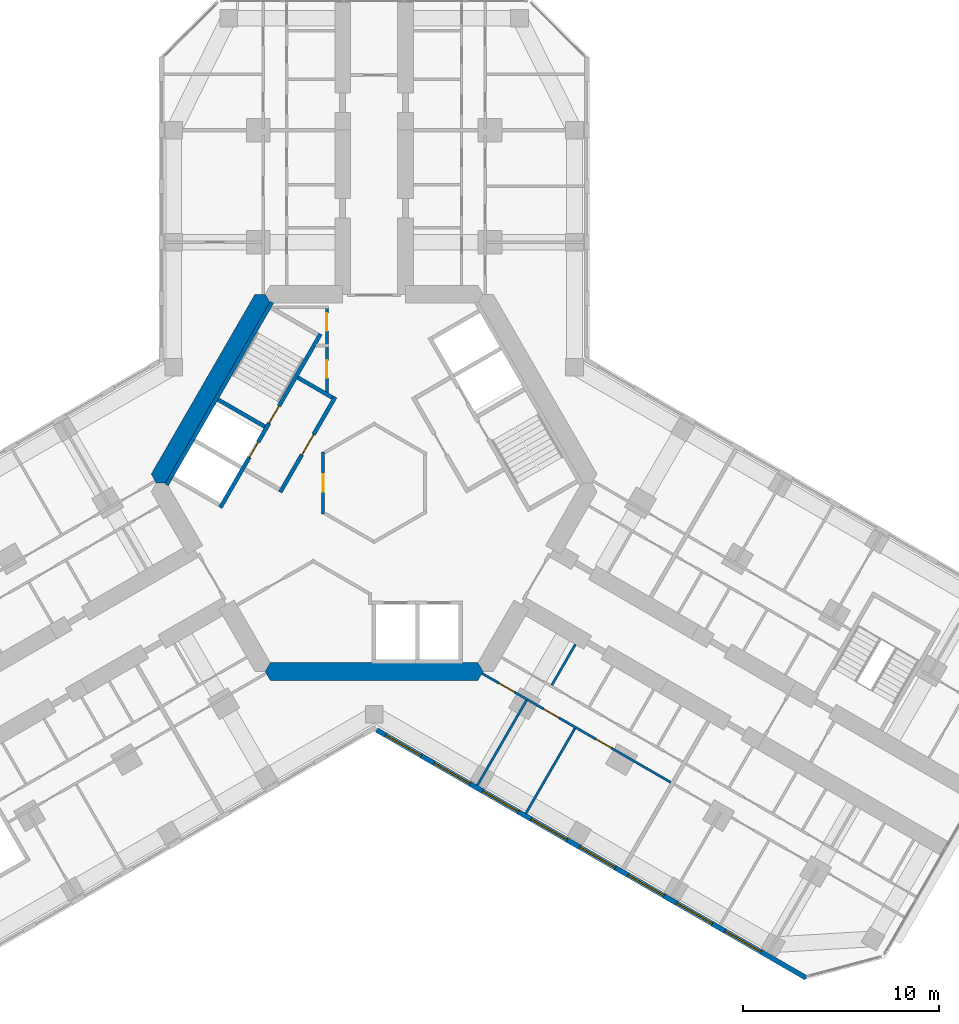
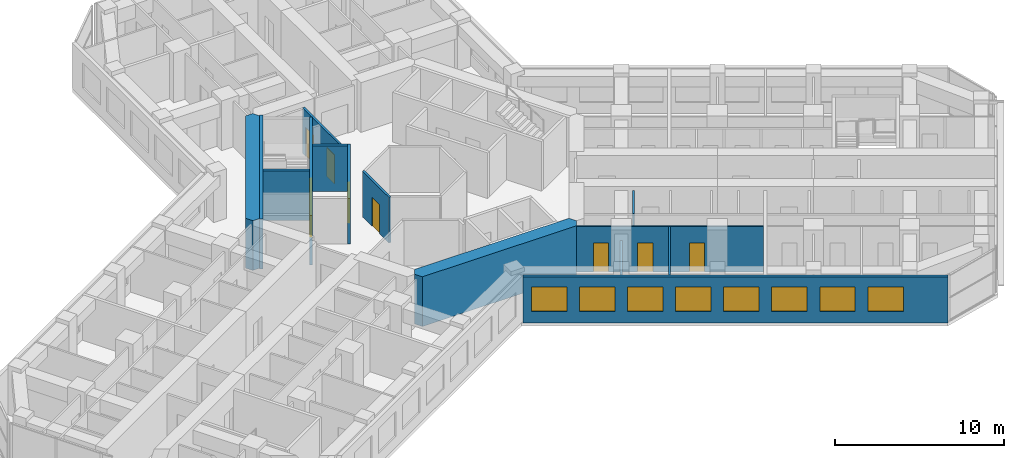
# One storey, part 13 of 20: 14 walls, 9 doors, 8 windows, 17 openings.
"""IFC4 building model written with IfcOpenShell, lengths in metres."""

from ifc_helpers import new_model, si_unit, direction, frame, frame_2d, origin, place, context, subcontext, project, spatial, polyline, rectangle, outline, extrude, material, layer, layer_set, type_object, element, fill, save


model = new_model("IFC4")

# Units and contexts
model_context = context("Model", 3, precision=1e-05, world=origin(), true_north=direction((0.0, 1.0)))
body_context = subcontext(model_context, "Body", "Model", "MODEL_VIEW")
ifc_project = project(units=[si_unit("LENGTHUNIT", "METRE"), si_unit("AREAUNIT", "SQUARE_METRE"), si_unit("VOLUMEUNIT", "CUBIC_METRE"), si_unit("PLANEANGLEUNIT", "RADIAN"), si_unit("MASSUNIT", "GRAM", prefix="KILO")], contexts=[model_context])

# Site, building, storey
site_placement = place(None, origin())
site = spatial("IfcSite", under=ifc_project, at=site_placement, CompositionType="ELEMENT")
building_placement = place(site_placement, origin())
building = spatial("IfcBuilding", under=site, at=building_placement, Name="Kosmar Iwan School Tower", CompositionType="ELEMENT")
storey_placement = place(building_placement, frame((0.0, 0.0, 183.199951171875)))
storey = spatial("IfcBuildingStorey", under=building, at=storey_placement, Name="L46", CompositionType="ELEMENT", Elevation=183.199951171875)

# Wall, openings, doors
ifc_material_1 = material(Name="Gypsum board on steel studs, fire-rated", Category="steel")
ifc_layer_1 = layer(ifc_material_1, 0.14990234375)
ifc_layer_set_1 = layer_set([ifc_layer_1], Name="Core room partition 150")
wall_type_1 = type_object("IfcWallType", Name="Core room partition 150", PredefinedType="PARTITIONING", material=ifc_layer_set_1)
wall_1_placement = place(storey_placement, frame((-2.39990234375, 9.014892578125, 0.0), z_axis=(0.0, 0.0, 1.0), x_axis=(0.0, -1.0, 0.0)))
wall_1 = element("IfcWall", 1, at=wall_1_placement, inside=storey, type_object=wall_type_1, Name="Core room partition L46-CW1", PredefinedType="PARTITIONING", context=body_context, shape_type="SweptSolid", body=[
    extrude(rectangle(XDim=4.484130859375, YDim=0.14990234375, at=frame_2d((2.2421875, 0.0))), origin(), (0.0, 0.0, 1.0), 3.300048828125),
])
opening_1_placement = place(wall_1_placement, frame((0.375, 0.0, 0.0)))
opening_1 = element("IfcOpeningElement", 2, at=opening_1_placement, cuts=wall_1, Name="Opening D14", PredefinedType="OPENING", context=body_context, shape_type="SweptSolid", body=[
    extrude(rectangle(XDim=0.89990234375, YDim=2.10009765625, at=frame_2d((0.449951171875, 1.050048828125))), frame((0.0, 0.0869140625, 0.0), z_axis=(0.0, -1.0, 0.0), x_axis=(1.0, 0.0, 0.0)), (0.0, 0.0, 1.0), 0.173828125),
])
opening_2_placement = place(wall_1_placement, frame((2.77490234375, 0.0, 0.0)))
opening_2 = element("IfcOpeningElement", 3, at=opening_2_placement, cuts=wall_1, Name="Opening D14", PredefinedType="OPENING", context=body_context, shape_type="SweptSolid", body=[
    extrude(rectangle(XDim=0.89990234375, YDim=2.10009765625, at=frame_2d((0.449951171875, 1.050048828125))), frame((0.0, 0.0869140625, 0.0), z_axis=(0.0, -1.0, 0.0), x_axis=(1.0, 0.0, 0.0)), (0.0, 0.0, 1.0), 0.173828125),
])
ifc_material_2 = material(Name="Timber fire door in steel frame", Category="steel")
door_type_1 = type_object("IfcDoorType", Name="Core room door 900x2100", OperationType="SINGLE_SWING_LEFT", PredefinedType="DOOR", material=ifc_material_2)
door_1_placement = place(opening_1_placement, origin())
door_1 = element("IfcDoor", 4, at=door_1_placement, inside=storey, type_object=door_type_1, Name="Electrical riser and switch room door L46 1", OperationType="SINGLE_SWING_LEFT", OverallHeight=2.10009765625, OverallWidth=0.89990234375, PredefinedType="DOOR", context=body_context, shape_type="SweptSolid", body=[
    extrude(rectangle(XDim=0.89990234375, YDim=2.10009765625, at=frame_2d((0.449951171875, 1.050048828125))), frame((0.0, 0.02490234375, 0.0), z_axis=(0.0, -1.0, 0.0), x_axis=(1.0, 0.0, 0.0)), (0.0, 0.0, 1.0), 0.050048828125),
])
fill(opening_1, door_1)
door_2_placement = place(opening_2_placement, origin())
door_2 = element("IfcDoor", 5, at=door_2_placement, inside=storey, type_object=door_type_1, Name="Plumbing and wet riser door L46 2", OperationType="SINGLE_SWING_RIGHT", OverallHeight=2.10009765625, OverallWidth=0.89990234375, PredefinedType="DOOR", context=body_context, shape_type="SweptSolid", body=[
    extrude(rectangle(XDim=0.89990234375, YDim=2.10009765625, at=frame_2d((0.449951171875, 1.050048828125))), frame((0.0, 0.02490234375, 0.0), z_axis=(0.0, -1.0, 0.0), x_axis=(1.0, 0.0, 0.0)), (0.0, 0.0, 1.0), 0.050048828125),
])
fill(opening_2, door_2)

# Wall, opening, door
wall_2_placement = place(storey_placement, frame((-2.60009765625, -1.576171875, 0.0), z_axis=(0.0, 0.0, 1.0), x_axis=(0.0, 1.0, 0.0)))
wall_2 = element("IfcWall", 6, at=wall_2_placement, inside=storey, type_object=wall_type_1, Name="Core room partition L46-CW10", PredefinedType="PARTITIONING", context=body_context, shape_type="SweptSolid", body=[
    extrude(rectangle(XDim=3.15234375, YDim=0.14990234375, at=frame_2d((1.576171875, 0.0))), origin(), (0.0, 0.0, 1.0), 3.300048828125),
])
opening_3_placement = place(wall_2_placement, frame((1.1259765625, 0.0, 0.0)))
opening_3 = element("IfcOpeningElement", 7, at=opening_3_placement, cuts=wall_2, Name="Opening D14", PredefinedType="OPENING", context=body_context, shape_type="SweptSolid", body=[
    extrude(rectangle(XDim=0.89990234375, YDim=2.10009765625, at=frame_2d((0.449951171875, 1.050048828125))), frame((0.0, 0.0869140625, 0.0), z_axis=(0.0, -1.0, 0.0), x_axis=(1.0, 0.0, 0.0)), (0.0, 0.0, 1.0), 0.173828125),
])
door_3_placement = place(opening_3_placement, origin())
door_3 = element("IfcDoor", 8, at=door_3_placement, inside=storey, type_object=door_type_1, Name="Parcel room door L46 4", OperationType="SINGLE_SWING_RIGHT", OverallHeight=2.10009765625, OverallWidth=0.89990234375, PredefinedType="DOOR", context=body_context, shape_type="SweptSolid", body=[
    extrude(rectangle(XDim=0.89990234375, YDim=2.10009765625, at=frame_2d((0.449951171875, 1.050048828125))), frame((0.0, 0.02490234375, 0.0), z_axis=(0.0, -1.0, 0.0), x_axis=(1.0, 0.0, 0.0)), (0.0, 0.0, 1.0), 0.050048828125),
])
fill(opening_3, door_3)

# Walls
ifc_material_3 = material(Name="Concrete C50/60", Category="concrete")
ifc_layer_2 = layer(ifc_material_3, 0.89990234375)
ifc_layer_set_2 = layer_set([ifc_layer_2], Name="Core wall 900")
wall_type_2 = type_object("IfcWallType", Name="Core wall 900", PredefinedType="SHEAR", material=ifc_layer_set_2)
wall_3_placement = place(storey_placement, origin())
element("IfcWall", 9, at=wall_3_placement, inside=storey, type_object=wall_type_2, Name="Core wall F150", PredefinedType="SHEAR", context=body_context, shape_type="SweptSolid", body=[
    extrude(outline(polyline([(-11.085205078125, 0.0), (-10.5654296875, 0.0), (-5.28271484375, 9.14990234375), (-5.54248046875, 9.60009765625), (-6.062255859375, 9.60009765625), (-11.344970703125, 0.449951171875), (-11.085205078125, 0.0)])), origin(), (0.0, 0.0, 1.0), 3.60009765625),
])
wall_4_placement = place(storey_placement, origin())
element("IfcWall", 10, at=wall_4_placement, inside=storey, type_object=wall_type_2, Name="Core wall F270", PredefinedType="SHEAR", context=body_context, shape_type="SweptSolid", body=[
    extrude(outline(polyline([(-5.28271484375, -10.050048828125), (5.28271484375, -10.050048828125), (5.54248046875, -9.60009765625), (5.28271484375, -9.14990234375), (-5.28271484375, -9.14990234375), (-5.54248046875, -9.60009765625), (-5.28271484375, -10.050048828125)])), origin(), (0.0, 0.0, 1.0), 3.60009765625),
])

# Wall, openings, doors
ifc_material_4 = material(Name="Gypsum board on steel studs", Category="steel")
ifc_layer_3 = layer(ifc_material_4, 0.1201171875)
ifc_layer_set_3 = layer_set([ifc_layer_3], Name="Dwelling partition 120")
wall_type_3 = type_object("IfcWallType", Name="Dwelling partition 120", PredefinedType="PARTITIONING", material=ifc_layer_set_3)
wall_5_placement = place(storey_placement, frame((5.48876953125, -9.693115234375, 0.0), z_axis=(0.0, 0.0, 1.0), x_axis=(0.866026992824, -0.499997247692, 0.0)))
wall_5 = element("IfcWall", 11, at=wall_5_placement, inside=storey, type_object=wall_type_3, Name="Partition L46-CR1-W2", PredefinedType="PARTITIONING", context=body_context, shape_type="SweptSolid", body=[
    extrude(rectangle(XDim=11.10009765625, YDim=0.1201171875, at=frame_2d((5.550048828125, 0.0))), origin(), (0.0, 0.0, 1.0), 3.300048828125),
])
opening_4_placement = place(wall_5_placement, frame((1.0, 0.0, 0.0)))
opening_4 = element("IfcOpeningElement", 12, at=opening_4_placement, cuts=wall_5, Name="Opening D2", PredefinedType="OPENING", context=body_context, shape_type="SweptSolid", body=[
    extrude(rectangle(XDim=0.89990234375, YDim=2.10009765625, at=frame_2d((0.449951171875, 1.050048828125))), frame((0.0, 0.072021484375, 0.0), z_axis=(0.0, -1.0, 0.0), x_axis=(1.0, 0.0, 0.0)), (0.0, 0.0, 1.0), 0.14404296875),
])
opening_5_placement = place(wall_5_placement, frame((3.625, 0.0, 0.0)))
opening_5 = element("IfcOpeningElement", 13, at=opening_5_placement, cuts=wall_5, Name="Opening D2", PredefinedType="OPENING", context=body_context, shape_type="SweptSolid", body=[
    extrude(rectangle(XDim=0.89990234375, YDim=2.10009765625, at=frame_2d((0.449951171875, 1.050048828125))), frame((0.0, 0.072021484375, 0.0), z_axis=(0.0, -1.0, 0.0), x_axis=(1.0, 0.0, 0.0)), (0.0, 0.0, 1.0), 0.14404296875),
])
opening_6_placement = place(wall_5_placement, frame((6.699951171875, 0.0, 0.0)))
opening_6 = element("IfcOpeningElement", 14, at=opening_6_placement, cuts=wall_5, Name="Opening D2", PredefinedType="OPENING", context=body_context, shape_type="SweptSolid", body=[
    extrude(rectangle(XDim=0.89990234375, YDim=2.10009765625, at=frame_2d((0.449951171875, 1.050048828125))), frame((0.0, 0.072021484375, 0.0), z_axis=(0.0, -1.0, 0.0), x_axis=(1.0, 0.0, 0.0)), (0.0, 0.0, 1.0), 0.14404296875),
])
ifc_material_5 = material(Name="Timber door in timber frame", Category="wood")
door_type_2 = type_object("IfcDoorType", Name="Internal door 900x2100", OperationType="SINGLE_SWING_LEFT", PredefinedType="DOOR", material=ifc_material_5)
door_4_placement = place(opening_4_placement, origin())
door_4 = element("IfcDoor", 15, at=door_4_placement, inside=storey, type_object=door_type_2, Name="Bedroom 1 door L46-CR1-F1", OperationType="SINGLE_SWING_LEFT", OverallHeight=2.10009765625, OverallWidth=0.89990234375, PredefinedType="DOOR", context=body_context, shape_type="SweptSolid", body=[
    extrude(rectangle(XDim=0.89990234375, YDim=2.10009765625, at=frame_2d((0.449951171875, 1.050048828125))), frame((0.0, 0.02490234375, 0.0), z_axis=(0.0, -1.0, 0.0), x_axis=(1.0, 0.0, 0.0)), (0.0, 0.0, 1.0), 0.050048828125),
])
fill(opening_4, door_4)
door_5_placement = place(opening_5_placement, origin())
door_5 = element("IfcDoor", 16, at=door_5_placement, inside=storey, type_object=door_type_2, Name="Study door L46-CR1-F2", OperationType="SINGLE_SWING_LEFT", OverallHeight=2.10009765625, OverallWidth=0.89990234375, PredefinedType="DOOR", context=body_context, shape_type="SweptSolid", body=[
    extrude(rectangle(XDim=0.89990234375, YDim=2.10009765625, at=frame_2d((0.449951171875, 1.050048828125))), frame((0.0, 0.02490234375, 0.0), z_axis=(0.0, -1.0, 0.0), x_axis=(1.0, 0.0, 0.0)), (0.0, 0.0, 1.0), 0.050048828125),
])
fill(opening_5, door_5)
door_6_placement = place(opening_6_placement, origin())
door_6 = element("IfcDoor", 17, at=door_6_placement, inside=storey, type_object=door_type_2, Name="Family room and kitchen door L46-CR1-F3", OperationType="SINGLE_SWING_RIGHT", OverallHeight=2.10009765625, OverallWidth=0.89990234375, PredefinedType="DOOR", context=body_context, shape_type="SweptSolid", body=[
    extrude(rectangle(XDim=0.89990234375, YDim=2.10009765625, at=frame_2d((0.449951171875, 1.050048828125))), frame((0.0, 0.02490234375, 0.0), z_axis=(0.0, -1.0, 0.0), x_axis=(1.0, 0.0, 0.0)), (0.0, 0.0, 1.0), 0.050048828125),
])
fill(opening_6, door_6)

# Walls
wall_6_placement = place(storey_placement, frame((7.75390625, -11.070068359375, 0.0), z_axis=(0.0, 0.0, 1.0), x_axis=(-0.500011847778, -0.866018563358, 0.0)))
element("IfcWall", 18, at=wall_6_placement, inside=storey, type_object=wall_type_3, Name="Partition L46-CR1-X1", PredefinedType="PARTITIONING", context=body_context, shape_type="SweptSolid", body=[
    extrude(rectangle(XDim=4.990234375, YDim=0.1201171875, at=frame_2d((2.4951171875, 0.0))), origin(), (0.0, 0.0, 1.0), 2.300048828125),
])
wall_7_placement = place(storey_placement, frame((10.221923828125, -12.4951171875, 0.0), z_axis=(0.0, 0.0, 1.0), x_axis=(-0.499996339024, -0.86602751744, 0.0)))
element("IfcWall", 19, at=wall_7_placement, inside=storey, type_object=wall_type_3, Name="Partition L46-CR1-X2", PredefinedType="PARTITIONING", context=body_context, shape_type="SweptSolid", body=[
    extrude(rectangle(XDim=4.98974609375, YDim=0.1201171875, at=frame_2d((2.494873046875, 0.0))), origin(), (0.0, 0.0, 1.0), 3.300048828125),
])
wall_8_placement = place(storey_placement, frame((10.240966796875, -8.221923828125, 0.0), z_axis=(0.0, 0.0, 1.0), x_axis=(-0.500017192868, -0.86601547725, 0.0)))
element("IfcWall", 20, at=wall_8_placement, inside=storey, type_object=wall_type_3, Name="Partition L46-CR1-Y1", PredefinedType="PARTITIONING", context=body_context, shape_type="SweptSolid", body=[
    extrude(rectangle(XDim=2.39013671875, YDim=0.1201171875, at=frame_2d((1.195068359375, 0.0))), origin(), (0.0, 0.0, 1.0), 3.300048828125),
])

# Wall, openings, windows
ifc_material_6 = material(Name="Black aluminium rainscreen on insulated framing", Category="aluminium")
ifc_layer_4 = layer(ifc_material_6, 0.25)
ifc_layer_set_4 = layer_set([ifc_layer_4], Name="External wall rainscreen 250")
wall_type_4 = type_object("IfcWallType", Name="External wall rainscreen 250", PredefinedType="SOLIDWALL", material=ifc_layer_set_4)
wall_9_placement = place(storey_placement, frame((0.137939453125, -12.5791015625, 0.0), z_axis=(0.0, 0.0, 1.0), x_axis=(0.866023775649, -0.500002820003, 0.0)))
wall_9 = element("IfcWall", 21, at=wall_9_placement, inside=storey, type_object=wall_type_4, Name="External wall CR L46", PredefinedType="SOLIDWALL", context=body_context, shape_type="SweptSolid", body=[
    extrude(rectangle(XDim=25.226318359375, YDim=0.25, at=frame_2d((12.61328125, 0.0))), origin(), (0.0, 0.0, 1.0), 3.300048828125),
])
opening_7_placement = place(wall_9_placement, frame((0.51611328125, 0.0, 0.800048828125)))
opening_7 = element("IfcOpeningElement", 22, at=opening_7_placement, cuts=wall_9, Name="Opening W4", PredefinedType="OPENING", context=body_context, shape_type="SweptSolid", body=[
    extrude(rectangle(XDim=2.10009765625, YDim=1.800048828125, at=frame_2d((1.050048828125, 0.89990234375))), frame((0.0, 0.136962890625, 0.0), z_axis=(0.0, -1.0, 0.0), x_axis=(1.0, 0.0, 0.0)), (0.0, 0.0, 1.0), 0.27392578125),
])
opening_8_placement = place(wall_9_placement, frame((3.365966796875, 0.0, 0.800048828125)))
opening_8 = element("IfcOpeningElement", 23, at=opening_8_placement, cuts=wall_9, Name="Opening W4", PredefinedType="OPENING", context=body_context, shape_type="SweptSolid", body=[
    extrude(rectangle(XDim=2.10009765625, YDim=1.800048828125, at=frame_2d((1.050048828125, 0.89990234375))), frame((0.0, 0.136962890625, 0.0), z_axis=(0.0, -1.0, 0.0), x_axis=(1.0, 0.0, 0.0)), (0.0, 0.0, 1.0), 0.27392578125),
])
opening_9_placement = place(wall_9_placement, frame((6.216064453125, 0.0, 0.800048828125)))
opening_9 = element("IfcOpeningElement", 24, at=opening_9_placement, cuts=wall_9, Name="Opening W4", PredefinedType="OPENING", context=body_context, shape_type="SweptSolid", body=[
    extrude(rectangle(XDim=2.10009765625, YDim=1.800048828125, at=frame_2d((1.050048828125, 0.89990234375))), frame((0.0, 0.136962890625, 0.0), z_axis=(0.0, -1.0, 0.0), x_axis=(1.0, 0.0, 0.0)), (0.0, 0.0, 1.0), 0.27392578125),
])
opening_10_placement = place(wall_9_placement, frame((9.06591796875, 0.0, 0.800048828125)))
opening_10 = element("IfcOpeningElement", 25, at=opening_10_placement, cuts=wall_9, Name="Opening W4", PredefinedType="OPENING", context=body_context, shape_type="SweptSolid", body=[
    extrude(rectangle(XDim=2.10009765625, YDim=1.800048828125, at=frame_2d((1.050048828125, 0.89990234375))), frame((0.0, 0.136962890625, 0.0), z_axis=(0.0, -1.0, 0.0), x_axis=(1.0, 0.0, 0.0)), (0.0, 0.0, 1.0), 0.27392578125),
])
opening_11_placement = place(wall_9_placement, frame((11.916015625, 0.0, 0.800048828125)))
opening_11 = element("IfcOpeningElement", 26, at=opening_11_placement, cuts=wall_9, Name="Opening W4", PredefinedType="OPENING", context=body_context, shape_type="SweptSolid", body=[
    extrude(rectangle(XDim=2.10009765625, YDim=1.800048828125, at=frame_2d((1.050048828125, 0.89990234375))), frame((0.0, 0.136962890625, 0.0), z_axis=(0.0, -1.0, 0.0), x_axis=(1.0, 0.0, 0.0)), (0.0, 0.0, 1.0), 0.27392578125),
])
opening_12_placement = place(wall_9_placement, frame((14.76611328125, 0.0, 0.800048828125)))
opening_12 = element("IfcOpeningElement", 27, at=opening_12_placement, cuts=wall_9, Name="Opening W4", PredefinedType="OPENING", context=body_context, shape_type="SweptSolid", body=[
    extrude(rectangle(XDim=2.10009765625, YDim=1.800048828125, at=frame_2d((1.050048828125, 0.89990234375))), frame((0.0, 0.136962890625, 0.0), z_axis=(0.0, -1.0, 0.0), x_axis=(1.0, 0.0, 0.0)), (0.0, 0.0, 1.0), 0.27392578125),
])
opening_13_placement = place(wall_9_placement, frame((17.615966796875, 0.0, 0.800048828125)))
opening_13 = element("IfcOpeningElement", 28, at=opening_13_placement, cuts=wall_9, Name="Opening W4", PredefinedType="OPENING", context=body_context, shape_type="SweptSolid", body=[
    extrude(rectangle(XDim=2.10009765625, YDim=1.800048828125, at=frame_2d((1.050048828125, 0.89990234375))), frame((0.0, 0.136962890625, 0.0), z_axis=(0.0, -1.0, 0.0), x_axis=(1.0, 0.0, 0.0)), (0.0, 0.0, 1.0), 0.27392578125),
])
opening_14_placement = place(wall_9_placement, frame((20.466064453125, 0.0, 0.800048828125)))
opening_14 = element("IfcOpeningElement", 29, at=opening_14_placement, cuts=wall_9, Name="Opening W4", PredefinedType="OPENING", context=body_context, shape_type="SweptSolid", body=[
    extrude(rectangle(XDim=2.10009765625, YDim=1.800048828125, at=frame_2d((1.050048828125, 0.89990234375))), frame((0.0, 0.136962890625, 0.0), z_axis=(0.0, -1.0, 0.0), x_axis=(1.0, 0.0, 0.0)), (0.0, 0.0, 1.0), 0.27392578125),
])
ifc_material_7 = material(Name="Black aluminium frame with dark triple glazing", Category="aluminium")
window_type = type_object("IfcWindowType", Name="Window 2100x1800", PartitioningType="SINGLE_PANEL", PredefinedType="WINDOW", material=ifc_material_7)
window_1_placement = place(opening_7_placement, origin())
window_1 = element("IfcWindow", 30, at=window_1_placement, inside=storey, type_object=window_type, Name="Window CR L46 -1", OverallHeight=1.800048828125, OverallWidth=2.10009765625, PartitioningType="SINGLE_PANEL", PredefinedType="WINDOW", context=body_context, shape_type="SweptSolid", body=[
    extrude(rectangle(XDim=2.10009765625, YDim=1.800048828125, at=frame_2d((1.050048828125, 0.89990234375))), frame((0.0, 0.030029296875, 0.0), z_axis=(0.0, -1.0, 0.0), x_axis=(1.0, 0.0, 0.0)), (0.0, 0.0, 1.0), 0.06005859375),
])
fill(opening_7, window_1)
window_2_placement = place(opening_8_placement, origin())
window_2 = element("IfcWindow", 31, at=window_2_placement, inside=storey, type_object=window_type, Name="Window CR L46 0", OverallHeight=1.800048828125, OverallWidth=2.10009765625, PartitioningType="SINGLE_PANEL", PredefinedType="WINDOW", context=body_context, shape_type="SweptSolid", body=[
    extrude(rectangle(XDim=2.10009765625, YDim=1.800048828125, at=frame_2d((1.050048828125, 0.89990234375))), frame((0.0, 0.030029296875, 0.0), z_axis=(0.0, -1.0, 0.0), x_axis=(1.0, 0.0, 0.0)), (0.0, 0.0, 1.0), 0.06005859375),
])
fill(opening_8, window_2)
window_3_placement = place(opening_9_placement, origin())
window_3 = element("IfcWindow", 32, at=window_3_placement, inside=storey, type_object=window_type, Name="Window CR L46 1", OverallHeight=1.800048828125, OverallWidth=2.10009765625, PartitioningType="SINGLE_PANEL", PredefinedType="WINDOW", context=body_context, shape_type="SweptSolid", body=[
    extrude(rectangle(XDim=2.10009765625, YDim=1.800048828125, at=frame_2d((1.050048828125, 0.89990234375))), frame((0.0, 0.030029296875, 0.0), z_axis=(0.0, -1.0, 0.0), x_axis=(1.0, 0.0, 0.0)), (0.0, 0.0, 1.0), 0.06005859375),
])
fill(opening_9, window_3)
window_4_placement = place(opening_10_placement, origin())
window_4 = element("IfcWindow", 33, at=window_4_placement, inside=storey, type_object=window_type, Name="Window CR L46 2", OverallHeight=1.800048828125, OverallWidth=2.10009765625, PartitioningType="SINGLE_PANEL", PredefinedType="WINDOW", context=body_context, shape_type="SweptSolid", body=[
    extrude(rectangle(XDim=2.10009765625, YDim=1.800048828125, at=frame_2d((1.050048828125, 0.89990234375))), frame((0.0, 0.030029296875, 0.0), z_axis=(0.0, -1.0, 0.0), x_axis=(1.0, 0.0, 0.0)), (0.0, 0.0, 1.0), 0.06005859375),
])
fill(opening_10, window_4)
window_5_placement = place(opening_11_placement, origin())
window_5 = element("IfcWindow", 34, at=window_5_placement, inside=storey, type_object=window_type, Name="Window CR L46 3", OverallHeight=1.800048828125, OverallWidth=2.10009765625, PartitioningType="SINGLE_PANEL", PredefinedType="WINDOW", context=body_context, shape_type="SweptSolid", body=[
    extrude(rectangle(XDim=2.10009765625, YDim=1.800048828125, at=frame_2d((1.050048828125, 0.89990234375))), frame((0.0, 0.030029296875, 0.0), z_axis=(0.0, -1.0, 0.0), x_axis=(1.0, 0.0, 0.0)), (0.0, 0.0, 1.0), 0.06005859375),
])
fill(opening_11, window_5)
window_6_placement = place(opening_12_placement, origin())
window_6 = element("IfcWindow", 35, at=window_6_placement, inside=storey, type_object=window_type, Name="Window CR L46 4", OverallHeight=1.800048828125, OverallWidth=2.10009765625, PartitioningType="SINGLE_PANEL", PredefinedType="WINDOW", context=body_context, shape_type="SweptSolid", body=[
    extrude(rectangle(XDim=2.10009765625, YDim=1.800048828125, at=frame_2d((1.050048828125, 0.89990234375))), frame((0.0, 0.030029296875, 0.0), z_axis=(0.0, -1.0, 0.0), x_axis=(1.0, 0.0, 0.0)), (0.0, 0.0, 1.0), 0.06005859375),
])
fill(opening_12, window_6)
window_7_placement = place(opening_13_placement, origin())
window_7 = element("IfcWindow", 36, at=window_7_placement, inside=storey, type_object=window_type, Name="Window CR L46 5", OverallHeight=1.800048828125, OverallWidth=2.10009765625, PartitioningType="SINGLE_PANEL", PredefinedType="WINDOW", context=body_context, shape_type="SweptSolid", body=[
    extrude(rectangle(XDim=2.10009765625, YDim=1.800048828125, at=frame_2d((1.050048828125, 0.89990234375))), frame((0.0, 0.030029296875, 0.0), z_axis=(0.0, -1.0, 0.0), x_axis=(1.0, 0.0, 0.0)), (0.0, 0.0, 1.0), 0.06005859375),
])
fill(opening_13, window_7)
window_8_placement = place(opening_14_placement, origin())
window_8 = element("IfcWindow", 37, at=window_8_placement, inside=storey, type_object=window_type, Name="Window CR L46 6", OverallHeight=1.800048828125, OverallWidth=2.10009765625, PartitioningType="SINGLE_PANEL", PredefinedType="WINDOW", context=body_context, shape_type="SweptSolid", body=[
    extrude(rectangle(XDim=2.10009765625, YDim=1.800048828125, at=frame_2d((1.050048828125, 0.89990234375))), frame((0.0, 0.030029296875, 0.0), z_axis=(0.0, -1.0, 0.0), x_axis=(1.0, 0.0, 0.0)), (0.0, 0.0, 1.0), 0.06005859375),
])
fill(opening_14, window_8)

# Wall, opening, door
ifc_material_8 = material(Name="Concrete block masonry", Category="masonry")
ifc_layer_5 = layer(ifc_material_8, 0.199951171875)
ifc_layer_set_5 = layer_set([ifc_layer_5], Name="Fire lobby wall 200")
wall_type_5 = type_object("IfcWallType", Name="Fire lobby wall 200", PredefinedType="PARTITIONING", material=ifc_layer_set_5)
wall_10_placement = place(storey_placement, frame((-1.9775390625, 4.374755859375, 0.0), z_axis=(0.0, 0.0, 1.0), x_axis=(-0.500016814911, -0.866015695474, 0.0)))
wall_10 = element("IfcWall", 38, at=wall_10_placement, inside=storey, type_object=wall_type_5, Name="Firefighting lobby wall ST2", PredefinedType="PARTITIONING", context=body_context, shape_type="SweptSolid", body=[
    extrude(rectangle(XDim=5.599853515625, YDim=0.199951171875, at=frame_2d((2.7998046875, 0.0))), origin(), (0.0, 0.0, 1.0), 3.300048828125),
])
opening_15_placement = place(wall_10_placement, frame((2.199951171875, 0.0, 0.0)))
opening_15 = element("IfcOpeningElement", 39, at=opening_15_placement, cuts=wall_10, Name="Opening D7", PredefinedType="OPENING", context=body_context, shape_type="SweptSolid", body=[
    extrude(rectangle(XDim=1.199951171875, YDim=2.10009765625, at=frame_2d((0.60009765625, 1.050048828125))), frame((0.0, 0.112060546875, 0.0), z_axis=(0.0, -1.0, 0.0), x_axis=(1.0, 0.0, 0.0)), (0.0, 0.0, 1.0), 0.223876953125),
])
ifc_material_9 = material(Name="Steel fire door", Category="steel")
door_type_3 = type_object("IfcDoorType", Name="Fire lobby door 1200x2100", OperationType="SINGLE_SWING_LEFT", PredefinedType="DOOR", material=ifc_material_9)
door_7_placement = place(opening_15_placement, frame((1.199951171875, 0.0, 0.0), z_axis=(0.0, 0.0, 1.0), x_axis=(-1.0, 0.0, 0.0)))
door_7 = element("IfcDoor", 40, at=door_7_placement, inside=storey, type_object=door_type_3, Name="Firefighting lobby door ST2 L46", OperationType="SINGLE_SWING_RIGHT", OverallHeight=2.10009765625, OverallWidth=1.199951171875, PredefinedType="DOOR", context=body_context, shape_type="SweptSolid", body=[
    extrude(rectangle(XDim=1.199951171875, YDim=2.10009765625, at=frame_2d((0.60009765625, 1.050048828125))), frame((0.0, 0.02490234375, 0.0), z_axis=(0.0, -1.0, 0.0), x_axis=(1.0, 0.0, 0.0)), (0.0, 0.0, 1.0), 0.050048828125),
])
fill(opening_15, door_7)

# Wall
wall_11_placement = place(storey_placement, frame((-2.114013671875, 4.33837890625, 0.0), z_axis=(0.0, 0.0, 1.0), x_axis=(-0.866050731258, 0.499956128963, 0.0)))
element("IfcWall", 41, at=wall_11_placement, inside=storey, type_object=wall_type_5, Name="Firefighting lobby wall ST2", PredefinedType="PARTITIONING", context=body_context, shape_type="SweptSolid", body=[
    extrude(rectangle(XDim=2.050048828125, YDim=0.199951171875, at=frame_2d((1.02490234375, 0.0))), origin(), (0.0, 0.0, 1.0), 3.300048828125),
])

# Wall, openings, doors
ifc_material_10 = material(Name="Concrete C50/60", Category="concrete")
ifc_layer_6 = layer(ifc_material_10, 0.199951171875)
ifc_layer_set_6 = layer_set([ifc_layer_6], Name="Lift shaft wall 200")
wall_type_6 = type_object("IfcWallType", Name="Lift shaft wall 200", PredefinedType="SHEAR", material=ifc_layer_set_6)
wall_12_placement = place(storey_placement, frame((-2.72607421875, 7.578369140625, 0.0), z_axis=(0.0, 0.0, 1.0), x_axis=(-0.500005610874, -0.86602216432, 0.0)))
wall_12 = element("IfcWall", 42, at=wall_12_placement, inside=storey, type_object=wall_type_6, Name="Lift and stair front wall AB", PredefinedType="SHEAR", context=body_context, shape_type="SweptSolid", body=[
    extrude(rectangle(XDim=10.2001953125, YDim=0.199951171875, at=frame_2d((5.10009765625, 0.0))), origin(), (0.0, 0.0, 1.0), 3.60009765625),
])
opening_16_placement = place(wall_12_placement, frame((6.35009765625, 0.0, 0.0)))
opening_16 = element("IfcOpeningElement", 43, at=opening_16_placement, cuts=wall_12, Name="Opening LD2", PredefinedType="OPENING", context=body_context, shape_type="SweptSolid", body=[
    extrude(rectangle(XDim=0.89990234375, YDim=2.10009765625, at=frame_2d((0.449951171875, 1.050048828125))), frame((0.0, 0.112060546875, 0.0), z_axis=(0.0, -1.0, 0.0), x_axis=(1.0, 0.0, 0.0)), (0.0, 0.0, 1.0), 0.223876953125),
])
opening_17_placement = place(wall_12_placement, frame((4.22998046875, 0.0, 0.0)))
opening_17 = element("IfcOpeningElement", 44, at=opening_17_placement, cuts=wall_12, Name="Opening D6", PredefinedType="OPENING", context=body_context, shape_type="SweptSolid", body=[
    extrude(rectangle(XDim=1.0, YDim=2.10009765625, at=frame_2d((0.5, 1.050048828125))), frame((0.0, 0.112060546875, 0.0), z_axis=(0.0, -1.0, 0.0), x_axis=(1.0, 0.0, 0.0)), (0.0, 0.0, 1.0), 0.223876953125),
])
ifc_material_11 = material(Name="Stainless steel sliding lift door", Category="steel")
door_type_4 = type_object("IfcDoorType", Name="Firefighting lift landing door 900x2100", OperationType="SLIDING_TO_LEFT", PredefinedType="DOOR", material=ifc_material_11)
door_8_placement = place(opening_16_placement, origin())
door_8 = element("IfcDoor", 45, at=door_8_placement, inside=storey, type_object=door_type_4, Name="Lift FF2 landing door L46", OperationType="SLIDING_TO_LEFT", OverallHeight=2.10009765625, OverallWidth=0.89990234375, PredefinedType="DOOR", context=body_context, shape_type="SweptSolid", body=[
    extrude(rectangle(XDim=0.89990234375, YDim=2.10009765625, at=frame_2d((0.449951171875, 1.050048828125))), frame((0.0, 0.02490234375, 0.0), z_axis=(0.0, -1.0, 0.0), x_axis=(1.0, 0.0, 0.0)), (0.0, 0.0, 1.0), 0.050048828125),
])
fill(opening_16, door_8)
ifc_material_12 = material(Name="Steel fire door", Category="steel")
door_type_5 = type_object("IfcDoorType", Name="Stair door 1000x2100", OperationType="SINGLE_SWING_LEFT", PredefinedType="DOOR", material=ifc_material_12)
door_9_placement = place(opening_17_placement, origin())
door_9 = element("IfcDoor", 46, at=door_9_placement, inside=storey, type_object=door_type_5, Name="Stair ST2 door L46", OperationType="SINGLE_SWING_LEFT", OverallHeight=2.10009765625, OverallWidth=1.0, PredefinedType="DOOR", context=body_context, shape_type="SweptSolid", body=[
    extrude(rectangle(XDim=1.0, YDim=2.10009765625, at=frame_2d((0.5, 1.050048828125))), frame((0.0, 0.02490234375, 0.0), z_axis=(0.0, -1.0, 0.0), x_axis=(1.0, 0.0, 0.0)), (0.0, 0.0, 1.0), 0.050048828125),
])
fill(opening_17, door_9)

# Walls
wall_13_placement = place(storey_placement, frame((-5.196044921875, 9.199951171875, 0.0), z_axis=(0.0, 0.0, 1.0), x_axis=(-0.499999935134, -0.866025441235, 0.0)))
element("IfcWall", 47, at=wall_13_placement, inside=storey, type_object=wall_type_6, Name="Lift and stair back wall AB", PredefinedType="SHEAR", context=body_context, shape_type="SweptSolid", body=[
    extrude(rectangle(XDim=10.73876953125, YDim=0.199951171875, at=frame_2d((5.369384765625, 0.0))), origin(), (0.0, 0.0, 1.0), 3.60009765625),
])
ifc_material_13 = material(Name="Concrete C50/60", Category="concrete")
ifc_layer_7 = layer(ifc_material_13, 0.199951171875)
ifc_layer_set_7 = layer_set([ifc_layer_7], Name="Stair enclosure wall 200")
wall_type_7 = type_object("IfcWallType", Name="Stair enclosure wall 200", PredefinedType="SHEAR", material=ifc_layer_set_7)
wall_14_placement = place(storey_placement, frame((-5.562744140625, 2.865234375, 0.0), z_axis=(0.0, 0.0, 1.0), x_axis=(-0.866027397988, 0.499996545922, 0.0)))
element("IfcWall", 48, at=wall_14_placement, inside=storey, type_object=wall_type_7, Name="Stair ST2 wall", PredefinedType="SHEAR", context=body_context, shape_type="SweptSolid", body=[
    extrude(rectangle(XDim=2.75, YDim=0.199951171875, at=frame_2d((1.375, 0.0))), origin(), (0.0, 0.0, 1.0), 3.60009765625),
])

save(model, "model.ifc")
